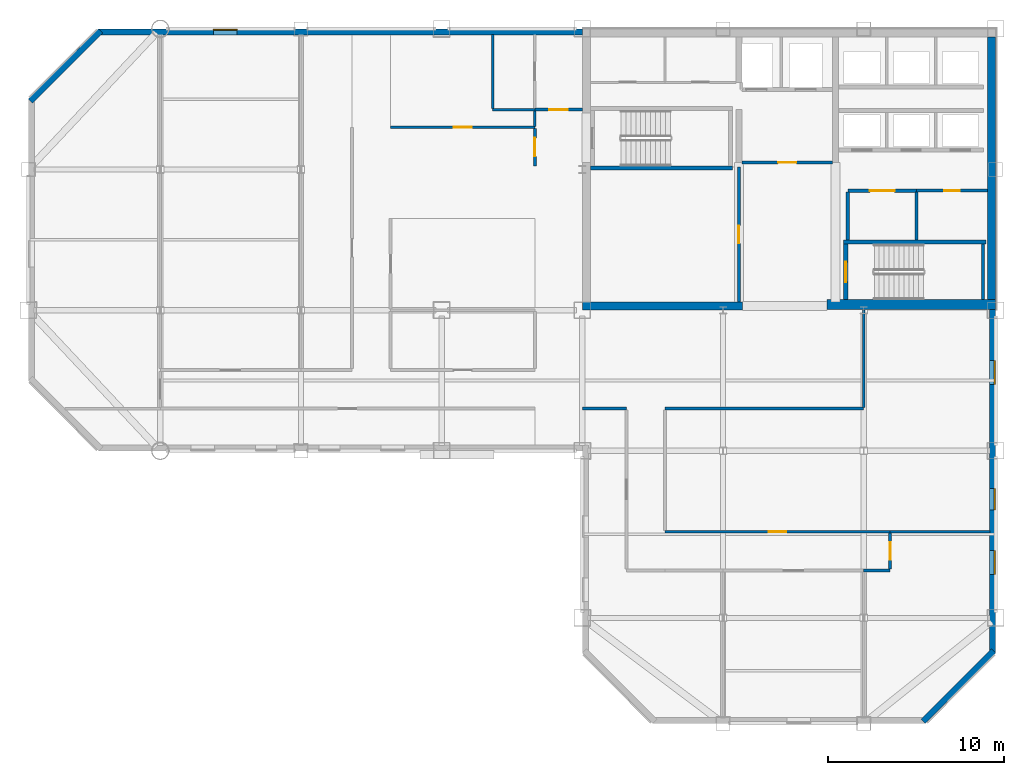
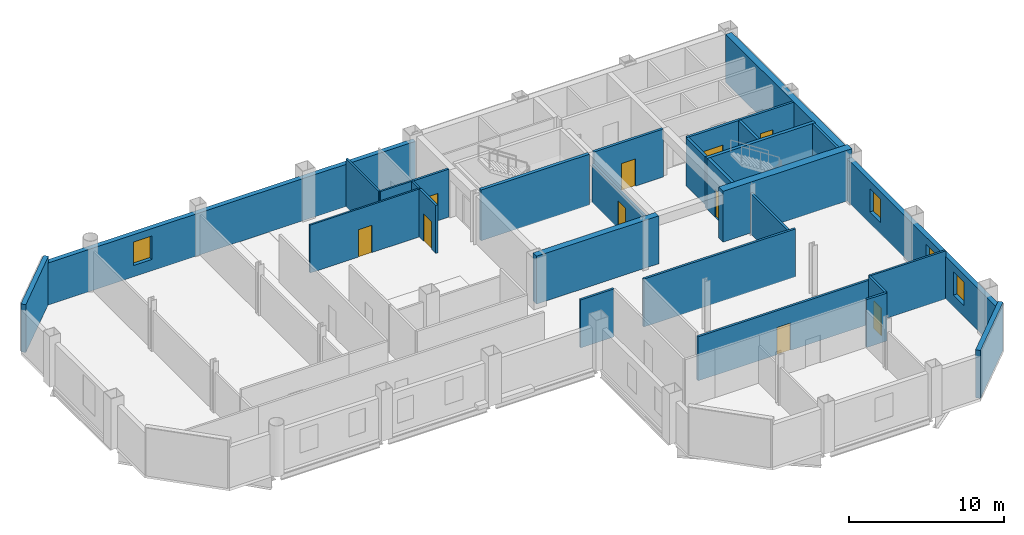
# One storey, part 5 of 10: 30 walls, 10 doors, 4 windows, 14 openings.
"""IFC4 building model written with IfcOpenShell, lengths in metres."""

from ifc_helpers import new_model, si_unit, direction, frame, frame_2d, origin, place, context, subcontext, project, spatial, rectangle, extrude, material, layer, layer_set, type_object, element, fill, save


model = new_model("IFC4")

# Units and contexts
model_context = context("Model", 3, precision=1e-05, world=origin(), true_north=direction((0.0, 1.0)))
body_context = subcontext(model_context, "Body", "Model", "MODEL_VIEW")
ifc_project = project(units=[si_unit("LENGTHUNIT", "METRE"), si_unit("AREAUNIT", "SQUARE_METRE"), si_unit("VOLUMEUNIT", "CUBIC_METRE"), si_unit("PLANEANGLEUNIT", "RADIAN"), si_unit("MASSUNIT", "GRAM", prefix="KILO")], contexts=[model_context])

# Site, building, storey
site_placement = place(None, origin())
site = spatial("IfcSite", under=ifc_project, at=site_placement, CompositionType="ELEMENT")
building_placement = place(site_placement, origin())
building = spatial("IfcBuilding", under=site, at=building_placement, Name="Qianrong Seaharbour Tower", CompositionType="ELEMENT")
storey_placement = place(building_placement, frame((0.0, 0.0, 217.800048828125)))
storey = spatial("IfcBuildingStorey", under=building, at=storey_placement, Name="L52", CompositionType="ELEMENT", Elevation=217.800048828125)

# Walls
ifc_material_1 = material(Name="Concrete C60/75", Category="concrete")
ifc_layer_1 = layer(ifc_material_1, 0.4599609375)
ifc_layer_set_1 = layer_set([ifc_layer_1], Name="Concrete C60/75")
wall_type_1 = type_object("IfcWallType", Name="WALL-CORE-460", PredefinedType="SHEAR", material=ifc_layer_set_1)
wall_1_placement = place(storey_placement, frame((63.77001953125, 36.320068359375, 0.0), z_axis=(0.0, 0.0, 1.0), x_axis=(0.0, 1.0, 0.0)))
element("IfcWall", 1, at=wall_1_placement, inside=storey, type_object=wall_type_1, Name="L52 East Core Shear Wall", PredefinedType="SHEAR", context=body_context, shape_type="SweptSolid", body=[
    extrude(rectangle(XDim=15.219970703125, YDim=0.4599609375, at=frame_2d((7.60986328125, 0.0))), origin(), (0.0, 0.0, 1.0), 3.77490234375),
])
wall_2_placement = place(storey_placement, frame((40.5, 36.22998046875, 0.0), z_axis=(0.0, 0.0, 1.0), x_axis=(1.0, 0.0, 0.0)))
element("IfcWall", 2, at=wall_2_placement, inside=storey, type_object=wall_type_1, Name="L52 South Core Shear Wall S1", PredefinedType="SHEAR", context=body_context, shape_type="SweptSolid", body=[
    extrude(rectangle(XDim=9.10009765625, YDim=0.4599609375, at=frame_2d((4.550048828125, 0.0))), origin(), (0.0, 0.0, 1.0), 3.77490234375),
])
ifc_material_2 = material(Name="Concrete C70/85", Category="concrete")
ifc_layer_2 = layer(ifc_material_2, 0.580078125)
ifc_layer_set_2 = layer_set([ifc_layer_2], Name="Concrete C70/85")
wall_type_2 = type_object("IfcWallType", Name="WALL-CORE-580", PredefinedType="SHEAR", material=ifc_layer_set_2)
wall_3_placement = place(storey_placement, frame((54.39990234375, 36.320068359375, 0.0), z_axis=(0.0, 0.0, 1.0), x_axis=(1.0, 0.0, 0.0)))
element("IfcWall", 3, at=wall_3_placement, inside=storey, type_object=wall_type_2, Name="L52 South Core Shear Wall S3", PredefinedType="SHEAR", context=body_context, shape_type="SweptSolid", body=[
    extrude(rectangle(XDim=9.60009765625, YDim=0.580078125, at=frame_2d((4.800048828125, 0.0))), origin(), (0.0, 0.0, 1.0), 4.0),
])

# Wall, opening, door
ifc_material_3 = material(Name="Fire-rated acoustic gypsum board partition")
ifc_layer_3 = layer(ifc_material_3, 0.1650390625)
ifc_layer_set_3 = layer_set([ifc_layer_3], Name="Fire-rated acoustic gypsum board partition")
wall_type_3 = type_object("IfcWallType", Name="WALL-CORR-PART-165", PredefinedType="PARTITIONING", material=ifc_layer_set_3)
wall_4_placement = place(storey_placement, frame((37.800048828125, 47.39990234375, 0.0), z_axis=(0.0, 0.0, 1.0), x_axis=(1.0, 0.0, 0.0)))
wall_4 = element("IfcWall", 4, at=wall_4_placement, inside=storey, type_object=wall_type_3, Name="L52 Interior Partition Wall 001", PredefinedType="PARTITIONING", context=body_context, shape_type="SweptSolid", body=[
    extrude(rectangle(XDim=2.699951171875, YDim=0.1650390625, at=frame_2d((1.35009765625, 0.0))), origin(), (0.0, 0.0, 1.0), 3.77490234375),
])
opening_1_placement = place(wall_4_placement, frame((0.824951171875, 0.0, 0.0)))
opening_1 = element("IfcOpeningElement", 5, at=opening_1_placement, cuts=wall_4, Name="Opening DC-01", PredefinedType="OPENING", context=body_context, shape_type="SweptSolid", body=[
    extrude(rectangle(XDim=1.050048828125, YDim=2.14990234375, at=frame_2d((0.52490234375, 1.074951171875))), frame((0.0, 0.092529296875, 0.0), z_axis=(0.0, -1.0, 0.0), x_axis=(1.0, 0.0, 0.0)), (0.0, 0.0, 1.0), 0.18505859375),
])
ifc_material_4 = material(Name="Acoustic timber and galvanized steel fire door assembly", Category="steel")
door_type_1 = type_object("IfcDoorType", Name="DOOR-CORR-FD60-1050x2150", OperationType="NOTDEFINED", PredefinedType="DOOR", material=ifc_material_4)
door_1_placement = place(opening_1_placement, origin())
door_1 = element("IfcDoor", 6, at=door_1_placement, inside=storey, type_object=door_type_1, Name="L52 Smokeproof Stair Vestibule ST-1 Door", OperationType="SINGLE_SWING_LEFT", OverallHeight=2.14990234375, OverallWidth=1.050048828125, PredefinedType="DOOR", context=body_context, shape_type="SweptSolid", body=[
    extrude(rectangle(XDim=1.050048828125, YDim=2.14990234375, at=frame_2d((0.52490234375, 1.074951171875))), frame((0.0, 0.02490234375, 0.0), z_axis=(0.0, -1.0, 0.0), x_axis=(1.0, 0.0, 0.0)), (0.0, 0.0, 1.0), 0.050048828125),
])
fill(opening_1, door_1)

wall_5_placement = place(storey_placement, frame((37.800048828125, 44.199951171875, 0.0), z_axis=(0.0, 0.0, 1.0), x_axis=(0.0, 1.0, 0.0)))
wall_5 = element("IfcWall", 7, at=wall_5_placement, inside=storey, type_object=wall_type_3, Name="L52 Interior Partition Wall 002", PredefinedType="PARTITIONING", context=body_context, shape_type="SweptSolid", body=[
    extrude(rectangle(XDim=2.14306640625, YDim=0.1650390625, at=frame_2d((1.071533203125, 0.0))), origin(), (0.0, 0.0, 1.0), 3.77490234375),
])
opening_2_placement = place(wall_5_placement, frame((0.54638671875, 0.0, 0.0)))
opening_2 = element("IfcOpeningElement", 8, at=opening_2_placement, cuts=wall_5, Name="Opening DC-01", PredefinedType="OPENING", context=body_context, shape_type="SweptSolid", body=[
    extrude(rectangle(XDim=1.050048828125, YDim=2.14990234375, at=frame_2d((0.52490234375, 1.074951171875))), frame((0.0, 0.092529296875, 0.0), z_axis=(0.0, -1.0, 0.0), x_axis=(1.0, 0.0, 0.0)), (0.0, 0.0, 1.0), 0.18505859375),
])
door_2_placement = place(opening_2_placement, origin())
door_2 = element("IfcDoor", 9, at=door_2_placement, inside=storey, type_object=door_type_1, Name="L52 Smokeproof Stair Vestibule ST-1 Door", OperationType="SINGLE_SWING_RIGHT", OverallHeight=2.14990234375, OverallWidth=1.050048828125, PredefinedType="DOOR", context=body_context, shape_type="SweptSolid", body=[
    extrude(rectangle(XDim=1.050048828125, YDim=2.14990234375, at=frame_2d((0.52490234375, 1.074951171875))), frame((0.0, 0.02490234375, 0.0), z_axis=(0.0, -1.0, 0.0), x_axis=(1.0, 0.0, 0.0)), (0.0, 0.0, 1.0), 0.050048828125),
])
fill(opening_2, door_2)

wall_6_placement = place(storey_placement, frame((49.39990234375, 36.4599609375, 0.0), z_axis=(0.0, 0.0, 1.0), x_axis=(0.0, 1.0, 0.0)))
wall_6 = element("IfcWall", 10, at=wall_6_placement, inside=storey, type_object=wall_type_3, Name="L52 Interior Partition Wall 010", PredefinedType="PARTITIONING", context=body_context, shape_type="SweptSolid", body=[
    extrude(rectangle(XDim=7.68994140625, YDim=0.1650390625, at=frame_2d((3.844970703125, 0.0))), origin(), (0.0, 0.0, 1.0), 3.016845703125),
])
opening_3_placement = place(wall_6_placement, frame((3.344970703125, 0.0, 0.0)))
opening_3 = element("IfcOpeningElement", 11, at=opening_3_placement, cuts=wall_6, Name="Opening DO-01", PredefinedType="OPENING", context=body_context, shape_type="SweptSolid", body=[
    extrude(rectangle(XDim=1.0, YDim=2.14990234375, at=frame_2d((0.5, 1.074951171875))), frame((0.0, 0.092529296875, 0.0), z_axis=(0.0, -1.0, 0.0), x_axis=(1.0, 0.0, 0.0)), (0.0, 0.0, 1.0), 0.18505859375),
])
door_type_2 = type_object("IfcDoorType", Name="DOOR-OFFICE-1000x2150", OperationType="NOTDEFINED", PredefinedType="DOOR", material=ifc_material_4)
door_3_placement = place(opening_3_placement, origin())
door_3 = element("IfcDoor", 12, at=door_3_placement, inside=storey, type_object=door_type_2, Name="L52 Data Systems Office Door", OperationType="SINGLE_SWING_LEFT", OverallHeight=2.14990234375, OverallWidth=1.0, PredefinedType="DOOR", context=body_context, shape_type="SweptSolid", body=[
    extrude(rectangle(XDim=1.0, YDim=2.14990234375, at=frame_2d((0.5, 1.074951171875))), frame((0.0, 0.02490234375, 0.0), z_axis=(0.0, -1.0, 0.0), x_axis=(1.0, 0.0, 0.0)), (0.0, 0.0, 1.0), 0.050048828125),
])
fill(opening_3, door_3)

wall_7_placement = place(storey_placement, frame((63.5400390625, 42.800048828125, 0.0), z_axis=(0.0, 0.0, 1.0), x_axis=(-1.0, 0.0, 0.0)))
wall_7 = element("IfcWall", 13, at=wall_7_placement, inside=storey, type_object=wall_type_3, Name="L52 Interior Partition Wall 013", PredefinedType="PARTITIONING", context=body_context, shape_type="SweptSolid", body=[
    extrude(rectangle(XDim=4.0400390625, YDim=0.1650390625, at=frame_2d((2.02001953125, 0.0))), origin(), (0.0, 0.0, 1.0), 3.77490234375),
])
opening_4_placement = place(wall_7_placement, frame((1.570068359375, 0.0, 0.0)))
opening_4 = element("IfcOpeningElement", 14, at=opening_4_placement, cuts=wall_7, Name="Opening DS-01", PredefinedType="OPENING", context=body_context, shape_type="SweptSolid", body=[
    extrude(rectangle(XDim=0.89990234375, YDim=2.14990234375, at=frame_2d((0.449951171875, 1.074951171875))), frame((0.0, 0.092529296875, 0.0), z_axis=(0.0, -1.0, 0.0), x_axis=(1.0, 0.0, 0.0)), (0.0, 0.0, 1.0), 0.18505859375),
])
door_type_3 = type_object("IfcDoorType", Name="DOOR-STORE-900x2150", OperationType="NOTDEFINED", PredefinedType="DOOR", material=ifc_material_4)
door_4_placement = place(opening_4_placement, origin())
door_4 = element("IfcDoor", 15, at=door_4_placement, inside=storey, type_object=door_type_3, Name="L52 Cleaner Store Room Door", OperationType="SINGLE_SWING_RIGHT", OverallHeight=2.14990234375, OverallWidth=0.89990234375, PredefinedType="DOOR", context=body_context, shape_type="SweptSolid", body=[
    extrude(rectangle(XDim=0.89990234375, YDim=2.14990234375, at=frame_2d((0.449951171875, 1.074951171875))), frame((0.0, 0.02490234375, 0.0), z_axis=(0.0, -1.0, 0.0), x_axis=(1.0, 0.0, 0.0)), (0.0, 0.0, 1.0), 0.050048828125),
])
fill(opening_4, door_4)

# Walls
wall_8_placement = place(storey_placement, frame((56.5, 36.0, 0.0), z_axis=(0.0, 0.0, 1.0), x_axis=(0.0, -1.0, 0.0)))
element("IfcWall", 16, at=wall_8_placement, inside=storey, type_object=wall_type_3, Name="L52 Interior Partition Wall 025", PredefinedType="PARTITIONING", context=body_context, shape_type="SweptSolid", body=[
    extrude(rectangle(XDim=5.525390625, YDim=0.1650390625, at=frame_2d((2.7626953125, 0.0))), origin(), (0.0, 0.0, 1.0), 3.178955078125),
])
wall_9_placement = place(storey_placement, frame((56.5, 30.39990234375, 0.0), z_axis=(0.0, 0.0, 1.0), x_axis=(-1.0, 0.0, 0.0)))
element("IfcWall", 17, at=wall_9_placement, inside=storey, type_object=wall_type_3, Name="L52 Interior Partition Wall 026", PredefinedType="PARTITIONING", context=body_context, shape_type="SweptSolid", body=[
    extrude(rectangle(XDim=11.300048828125, YDim=0.1650390625, at=frame_2d((5.64990234375, 0.0))), origin(), (0.0, 0.0, 1.0), 3.77490234375),
])
wall_10_placement = place(storey_placement, frame((43.0, 30.39990234375, 0.0), z_axis=(0.0, 0.0, 1.0), x_axis=(-1.0, 0.0, 0.0)))
element("IfcWall", 18, at=wall_10_placement, inside=storey, type_object=wall_type_3, Name="L52 Interior Partition Wall 028", PredefinedType="PARTITIONING", context=body_context, shape_type="SweptSolid", body=[
    extrude(rectangle(XDim=2.5, YDim=0.1650390625, at=frame_2d((1.25, 0.0))), origin(), (0.0, 0.0, 1.0), 3.77490234375),
])

# Wall, opening, door
wall_11_placement = place(storey_placement, frame((45.199951171875, 23.39990234375, 0.0), z_axis=(0.0, 0.0, 1.0), x_axis=(1.0, 0.0, 0.0)))
wall_11 = element("IfcWall", 19, at=wall_11_placement, inside=storey, type_object=wall_type_3, Name="L52 Interior Partition Wall 032", PredefinedType="PARTITIONING", context=body_context, shape_type="SweptSolid", body=[
    extrude(rectangle(XDim=12.800048828125, YDim=0.1650390625, at=frame_2d((6.39990234375, 0.0))), origin(), (0.0, 0.0, 1.0), 3.467041015625),
])
opening_5_placement = place(wall_11_placement, frame((5.89990234375, 0.0, 0.0)))
opening_5 = element("IfcOpeningElement", 20, at=opening_5_placement, cuts=wall_11, Name="Opening DO-01", PredefinedType="OPENING", context=body_context, shape_type="SweptSolid", body=[
    extrude(rectangle(XDim=1.0, YDim=2.14990234375, at=frame_2d((0.5, 1.074951171875))), frame((0.0, 0.092529296875, 0.0), z_axis=(0.0, -1.0, 0.0), x_axis=(1.0, 0.0, 0.0)), (0.0, 0.0, 1.0), 0.18505859375),
])
door_5_placement = place(opening_5_placement, origin())
door_5 = element("IfcDoor", 21, at=door_5_placement, inside=storey, type_object=door_type_2, Name="L52 South Wing Open-Plan Office Door", OperationType="SINGLE_SWING_LEFT", OverallHeight=2.14990234375, OverallWidth=1.0, PredefinedType="DOOR", context=body_context, shape_type="SweptSolid", body=[
    extrude(rectangle(XDim=1.0, YDim=2.14990234375, at=frame_2d((0.5, 1.074951171875))), frame((0.0, 0.02490234375, 0.0), z_axis=(0.0, -1.0, 0.0), x_axis=(1.0, 0.0, 0.0)), (0.0, 0.0, 1.0), 0.050048828125),
])
fill(opening_5, door_5)

wall_12_placement = place(storey_placement, frame((58.0, 23.325439453125, 0.0), z_axis=(0.0, 0.0, 1.0), x_axis=(0.0, -1.0, 0.0)))
wall_12 = element("IfcWall", 22, at=wall_12_placement, inside=storey, type_object=wall_type_3, Name="L52 Interior Partition Wall 035", PredefinedType="PARTITIONING", context=body_context, shape_type="SweptSolid", body=[
    extrude(rectangle(XDim=2.051025390625, YDim=0.1650390625, at=frame_2d((1.025390625, 0.0))), origin(), (0.0, 0.0, 1.0), 3.77490234375),
])
opening_6_placement = place(wall_12_placement, frame((0.525390625, 0.0, 0.0)))
opening_6 = element("IfcOpeningElement", 23, at=opening_6_placement, cuts=wall_12, Name="Opening DO-01", PredefinedType="OPENING", context=body_context, shape_type="SweptSolid", body=[
    extrude(rectangle(XDim=1.0, YDim=2.14990234375, at=frame_2d((0.5, 1.074951171875))), frame((0.0, 0.092529296875, 0.0), z_axis=(0.0, -1.0, 0.0), x_axis=(1.0, 0.0, 0.0)), (0.0, 0.0, 1.0), 0.18505859375),
])
door_6_placement = place(opening_6_placement, origin())
door_6 = element("IfcDoor", 24, at=door_6_placement, inside=storey, type_object=door_type_2, Name="L52 Standards Library 3 Door", OperationType="SINGLE_SWING_LEFT", OverallHeight=2.14990234375, OverallWidth=1.0, PredefinedType="DOOR", context=body_context, shape_type="SweptSolid", body=[
    extrude(rectangle(XDim=1.0, YDim=2.14990234375, at=frame_2d((0.5, 1.074951171875))), frame((0.0, 0.02490234375, 0.0), z_axis=(0.0, -1.0, 0.0), x_axis=(1.0, 0.0, 0.0)), (0.0, 0.0, 1.0), 0.050048828125),
])
fill(opening_6, door_6)

# Walls
wall_13_placement = place(storey_placement, frame((58.0, 21.199951171875, 0.0), z_axis=(0.0, 0.0, 1.0), x_axis=(-1.0, 0.0, 0.0)))
element("IfcWall", 25, at=wall_13_placement, inside=storey, type_object=wall_type_3, Name="L52 Interior Partition Wall 036", PredefinedType="PARTITIONING", context=body_context, shape_type="SweptSolid", body=[
    extrude(rectangle(XDim=1.5, YDim=0.1650390625, at=frame_2d((0.75, 0.0))), origin(), (0.0, 0.0, 1.0), 3.77490234375),
])
ifc_material_5 = material(Name="Unitised buff brick on Precast concrete C45/55", Category="masonry")
ifc_layer_4 = layer(ifc_material_5, 0.340087890625)
ifc_layer_set_4 = layer_set([ifc_layer_4], Name="Unitised buff brick on Precast concrete C45/55")
wall_type_4 = type_object("IfcWallType", Name="WALL-EXT-BRICK-BUFF-340", PredefinedType="SOLIDWALL", material=ifc_layer_set_4)
wall_14_placement = place(storey_placement, frame((9.1201171875, 47.8798828125, 0.0), z_axis=(0.0, 0.0, 1.0), x_axis=(0.707106781187, 0.707106781187, 0.0)))
element("IfcWall", 26, at=wall_14_placement, inside=storey, type_object=wall_type_4, Name="L52 Exterior Masonry Facade Wall E04", PredefinedType="SOLIDWALL", context=body_context, shape_type="SweptSolid", body=[
    extrude(rectangle(XDim=5.65673828125, YDim=0.340087890625, at=frame_2d((2.828369140625, 0.0))), origin(), (0.0, 0.0, 1.0), 3.77490234375),
])

# Wall, opening, window
wall_15_placement = place(storey_placement, frame((13.0, 51.830078125, 0.0), z_axis=(0.0, 0.0, 1.0), x_axis=(1.0, 0.0, 0.0)))
wall_15 = element("IfcWall", 27, at=wall_15_placement, inside=storey, type_object=wall_type_4, Name="L52 Exterior Masonry Facade Wall NORTH_WING", PredefinedType="SOLIDWALL", context=body_context, shape_type="SweptSolid", body=[
    extrude(rectangle(XDim=27.52001953125, YDim=0.340087890625, at=frame_2d((13.760009765625, 0.0))), origin(), (0.0, 0.0, 1.0), 3.324951171875),
])
opening_7_placement = place(wall_15_placement, frame((6.52490234375, 0.0, 0.89990234375)))
opening_7 = element("IfcOpeningElement", 28, at=opening_7_placement, cuts=wall_15, Name="Opening WN-02", PredefinedType="OPENING", context=body_context, shape_type="SweptSolid", body=[
    extrude(rectangle(XDim=1.35009765625, YDim=1.85009765625, at=frame_2d((0.675048828125, 0.925048828125))), frame((0.0, 0.18017578125, 0.0), z_axis=(0.0, -1.0, 0.0), x_axis=(1.0, 0.0, 0.0)), (0.0, 0.0, 1.0), 0.360107421875),
])
ifc_material_6 = material(Name="Insulated low-e double glazing in thermally broken aluminium 6063-T6 frame", Category="aluminium")
window_type_1 = type_object("IfcWindowType", Name="WIN-PUNCH-1350x1850", PartitioningType="DOUBLE_PANEL_VERTICAL", PredefinedType="WINDOW", material=ifc_material_6)
window_1_placement = place(opening_7_placement, origin())
window_1 = element("IfcWindow", 29, at=window_1_placement, inside=storey, type_object=window_type_1, Name="L52 Deep-Set Punched Window 05.02", OverallHeight=1.85009765625, OverallWidth=1.35009765625, PartitioningType="DOUBLE_PANEL_VERTICAL", PredefinedType="WINDOW", context=body_context, shape_type="SweptSolid", body=[
    extrude(rectangle(XDim=1.35009765625, YDim=1.85009765625, at=frame_2d((0.675048828125, 0.925048828125))), frame((0.0, 0.150146484375, 0.0), z_axis=(0.0, -1.0, 0.0), x_axis=(1.0, 0.0, 0.0)), (0.0, 0.0, 1.0), 0.06005859375),
])
fill(opening_7, window_1)

# Wall, openings, windows
wall_16_placement = place(storey_placement, frame((63.830078125, 36.050048828125, 0.0), z_axis=(0.0, 0.0, 1.0), x_axis=(0.0, -1.0, 0.0)))
wall_16 = element("IfcWall", 30, at=wall_16_placement, inside=storey, type_object=wall_type_4, Name="L52 Exterior Masonry Facade Wall EAST_WING", PredefinedType="SOLIDWALL", context=body_context, shape_type="SweptSolid", body=[
    extrude(rectangle(XDim=19.550048828125, YDim=0.340087890625, at=frame_2d((9.77490234375, 0.0))), origin(), (0.0, 0.0, 1.0), 3.324951171875),
])
opening_8_placement = place(wall_16_placement, frame((2.925048828125, 0.0, 0.89990234375)))
opening_8 = element("IfcOpeningElement", 31, at=opening_8_placement, cuts=wall_16, Name="Opening WN-02", PredefinedType="OPENING", context=body_context, shape_type="SweptSolid", body=[
    extrude(rectangle(XDim=1.35009765625, YDim=1.85009765625, at=frame_2d((0.675048828125, 0.925048828125))), frame((0.0, 0.18017578125, 0.0), z_axis=(0.0, -1.0, 0.0), x_axis=(1.0, 0.0, 0.0)), (0.0, 0.0, 1.0), 0.360107421875),
])
opening_9_placement = place(wall_16_placement, frame((10.199951171875, 0.0, 0.89990234375)))
opening_9 = element("IfcOpeningElement", 32, at=opening_9_placement, cuts=wall_16, Name="Opening WN-01", PredefinedType="OPENING", context=body_context, shape_type="SweptSolid", body=[
    extrude(rectangle(XDim=1.199951171875, YDim=1.85009765625, at=frame_2d((0.60009765625, 0.925048828125))), frame((0.0, 0.18017578125, 0.0), z_axis=(0.0, -1.0, 0.0), x_axis=(1.0, 0.0, 0.0)), (0.0, 0.0, 1.0), 0.360107421875),
])
opening_10_placement = place(wall_16_placement, frame((13.72509765625, 0.0, 0.89990234375)))
opening_10 = element("IfcOpeningElement", 33, at=opening_10_placement, cuts=wall_16, Name="Opening WN-02", PredefinedType="OPENING", context=body_context, shape_type="SweptSolid", body=[
    extrude(rectangle(XDim=1.35009765625, YDim=1.85009765625, at=frame_2d((0.675048828125, 0.925048828125))), frame((0.0, 0.18017578125, 0.0), z_axis=(0.0, -1.0, 0.0), x_axis=(1.0, 0.0, 0.0)), (0.0, 0.0, 1.0), 0.360107421875),
])
window_type_2 = type_object("IfcWindowType", Name="WIN-PUNCH-1200x1850", PartitioningType="DOUBLE_PANEL_VERTICAL", PredefinedType="WINDOW", material=ifc_material_6)
window_2_placement = place(opening_9_placement, origin())
window_2 = element("IfcWindow", 34, at=window_2_placement, inside=storey, type_object=window_type_2, Name="L52 Deep-Set Punched Window 06.03", OverallHeight=1.85009765625, OverallWidth=1.199951171875, PartitioningType="DOUBLE_PANEL_VERTICAL", PredefinedType="WINDOW", context=body_context, shape_type="SweptSolid", body=[
    extrude(rectangle(XDim=1.199951171875, YDim=1.85009765625, at=frame_2d((0.60009765625, 0.925048828125))), frame((0.0, 0.150146484375, 0.0), z_axis=(0.0, -1.0, 0.0), x_axis=(1.0, 0.0, 0.0)), (0.0, 0.0, 1.0), 0.06005859375),
])
fill(opening_9, window_2)
window_3_placement = place(opening_8_placement, origin())
window_3 = element("IfcWindow", 35, at=window_3_placement, inside=storey, type_object=window_type_1, Name="L52 Deep-Set Punched Window 06.01", OverallHeight=1.85009765625, OverallWidth=1.35009765625, PartitioningType="DOUBLE_PANEL_VERTICAL", PredefinedType="WINDOW", context=body_context, shape_type="SweptSolid", body=[
    extrude(rectangle(XDim=1.35009765625, YDim=1.85009765625, at=frame_2d((0.675048828125, 0.925048828125))), frame((0.0, 0.150146484375, 0.0), z_axis=(0.0, -1.0, 0.0), x_axis=(1.0, 0.0, 0.0)), (0.0, 0.0, 1.0), 0.06005859375),
])
fill(opening_8, window_3)
window_4_placement = place(opening_10_placement, origin())
window_4 = element("IfcWindow", 36, at=window_4_placement, inside=storey, type_object=window_type_1, Name="L52 Deep-Set Punched Window 06.04", OverallHeight=1.85009765625, OverallWidth=1.35009765625, PartitioningType="DOUBLE_PANEL_VERTICAL", PredefinedType="WINDOW", context=body_context, shape_type="SweptSolid", body=[
    extrude(rectangle(XDim=1.35009765625, YDim=1.85009765625, at=frame_2d((0.675048828125, 0.925048828125))), frame((0.0, 0.150146484375, 0.0), z_axis=(0.0, -1.0, 0.0), x_axis=(1.0, 0.0, 0.0)), (0.0, 0.0, 1.0), 0.06005859375),
])
fill(opening_10, window_4)

# Wall
wall_17_placement = place(storey_placement, frame((63.8798828125, 16.6201171875, 0.0), z_axis=(0.0, 0.0, 1.0), x_axis=(-0.707106781187, -0.707106781187, 0.0)))
element("IfcWall", 37, at=wall_17_placement, inside=storey, type_object=wall_type_4, Name="L52 Exterior Masonry Facade Wall E07", PredefinedType="SOLIDWALL", context=body_context, shape_type="SweptSolid", body=[
    extrude(rectangle(XDim=5.65673828125, YDim=0.340087890625, at=frame_2d((2.828369140625, 0.0))), origin(), (0.0, 0.0, 1.0), 3.77490234375),
])

# Wall, opening, door
ifc_material_7 = material(Name="Double fire-rated gypsum board acoustic partition")
ifc_layer_5 = layer(ifc_material_7, 0.18994140625)
ifc_layer_set_5 = layer_set([ifc_layer_5], Name="Double fire-rated gypsum board acoustic partition")
wall_type_5 = type_object("IfcWallType", Name="WALL-FIRE-PART-190", PredefinedType="PARTITIONING", material=ifc_layer_set_5)
wall_18_placement = place(storey_placement, frame((54.73291015625, 44.39990234375, 0.0), z_axis=(0.0, 0.0, 1.0), x_axis=(-1.0, 0.0, 0.0)))
wall_18 = element("IfcWall", 38, at=wall_18_placement, inside=storey, type_object=wall_type_5, Name="L52 Interior Partition Wall 009", PredefinedType="PARTITIONING", context=body_context, shape_type="SweptSolid", body=[
    extrude(rectangle(XDim=5.166015625, YDim=0.18994140625, at=frame_2d((2.5830078125, 0.0))), origin(), (0.0, 0.0, 1.0), 3.77490234375),
])
opening_11_placement = place(wall_18_placement, frame((2.05810546875, 0.0, 0.0)))
opening_11 = element("IfcOpeningElement", 39, at=opening_11_placement, cuts=wall_18, Name="Opening DC-01", PredefinedType="OPENING", context=body_context, shape_type="SweptSolid", body=[
    extrude(rectangle(XDim=1.050048828125, YDim=2.14990234375, at=frame_2d((0.52490234375, 1.074951171875))), frame((0.0, 0.10498046875, 0.0), z_axis=(0.0, -1.0, 0.0), x_axis=(1.0, 0.0, 0.0)), (0.0, 0.0, 1.0), 0.2099609375),
])
door_7_placement = place(opening_11_placement, origin())
door_7 = element("IfcDoor", 40, at=door_7_placement, inside=storey, type_object=door_type_1, Name="L52 Firefighting Lift Lobby Door", OperationType="SINGLE_SWING_RIGHT", OverallHeight=2.14990234375, OverallWidth=1.050048828125, PredefinedType="DOOR", context=body_context, shape_type="SweptSolid", body=[
    extrude(rectangle(XDim=1.050048828125, YDim=2.14990234375, at=frame_2d((0.52490234375, 1.074951171875))), frame((0.0, 0.02490234375, 0.0), z_axis=(0.0, -1.0, 0.0), x_axis=(1.0, 0.0, 0.0)), (0.0, 0.0, 1.0), 0.050048828125),
])
fill(opening_11, door_7)

# Wall
wall_19_placement = place(storey_placement, frame((55.60009765625, 42.712890625, 0.0), z_axis=(0.0, 0.0, 1.0), x_axis=(0.0, -1.0, 0.0)))
element("IfcWall", 41, at=wall_19_placement, inside=storey, type_object=wall_type_5, Name="L52 Interior Partition Wall 011", PredefinedType="PARTITIONING", context=body_context, shape_type="SweptSolid", body=[
    extrude(rectangle(XDim=2.73095703125, YDim=0.18994140625, at=frame_2d((1.365478515625, 0.0))), origin(), (0.0, 0.0, 1.0), 3.77490234375),
])

# Wall, opening, door
wall_20_placement = place(storey_placement, frame((59.5, 42.800048828125, 0.0), z_axis=(0.0, 0.0, 1.0), x_axis=(-1.0, 0.0, 0.0)))
wall_20 = element("IfcWall", 42, at=wall_20_placement, inside=storey, type_object=wall_type_5, Name="L52 Interior Partition Wall 012", PredefinedType="PARTITIONING", context=body_context, shape_type="SweptSolid", body=[
    extrude(rectangle(XDim=3.89990234375, YDim=0.18994140625, at=frame_2d((1.949951171875, 0.0))), origin(), (0.0, 0.0, 1.0), 3.77490234375),
])
opening_12_placement = place(wall_20_placement, frame((1.25, 0.0, 0.0)))
opening_12 = element("IfcOpeningElement", 43, at=opening_12_placement, cuts=wall_20, Name="Opening DP-01", PredefinedType="OPENING", context=body_context, shape_type="SweptSolid", body=[
    extrude(rectangle(XDim=1.39990234375, YDim=2.25, at=frame_2d((0.699951171875, 1.125))), frame((0.0, 0.10498046875, 0.0), z_axis=(0.0, -1.0, 0.0), x_axis=(1.0, 0.0, 0.0)), (0.0, 0.0, 1.0), 0.2099609375),
])
door_type_4 = type_object("IfcDoorType", Name="DOOR-PLANT-PAIR-1400x2250", OperationType="DOUBLE_DOOR_SINGLE_SWING", PredefinedType="DOOR", material=ifc_material_4)
door_8_placement = place(opening_12_placement, origin())
door_8 = element("IfcDoor", 44, at=door_8_placement, inside=storey, type_object=door_type_4, Name="L52 Electrical Substation Door", OperationType="DOUBLE_DOOR_SINGLE_SWING", OverallHeight=2.25, OverallWidth=1.39990234375, PredefinedType="DOOR", context=body_context, shape_type="SweptSolid", body=[
    extrude(rectangle(XDim=1.39990234375, YDim=2.25, at=frame_2d((0.699951171875, 1.125))), frame((0.0, 0.02490234375, 0.0), z_axis=(0.0, -1.0, 0.0), x_axis=(1.0, 0.0, 0.0)), (0.0, 0.0, 1.0), 0.050048828125),
])
fill(opening_12, door_8)

# Walls
wall_21_placement = place(storey_placement, frame((59.5, 42.712890625, 0.0), z_axis=(0.0, 0.0, 1.0), x_axis=(0.0, -1.0, 0.0)))
element("IfcWall", 45, at=wall_21_placement, inside=storey, type_object=wall_type_5, Name="L52 Interior Partition Wall 015", PredefinedType="PARTITIONING", context=body_context, shape_type="SweptSolid", body=[
    extrude(rectangle(XDim=2.73095703125, YDim=0.18994140625, at=frame_2d((1.365478515625, 0.0))), origin(), (0.0, 0.0, 1.0), 3.77490234375),
])
ifc_material_8 = material(Name="Acoustic gypsum board stud partition")
ifc_layer_6 = layer(ifc_material_8, 0.14501953125)
ifc_layer_set_6 = layer_set([ifc_layer_6], Name="Acoustic gypsum board stud partition")
wall_type_6 = type_object("IfcWallType", Name="WALL-OFFICE-PART-145", PredefinedType="PARTITIONING", material=ifc_layer_set_6)
wall_22_placement = place(storey_placement, frame((63.66796875, 23.39990234375, 0.0), z_axis=(0.0, 0.0, 1.0), x_axis=(-1.0, 0.0, 0.0)))
element("IfcWall", 46, at=wall_22_placement, inside=storey, type_object=wall_type_6, Name="L52 Interior Partition Wall 037", PredefinedType="PARTITIONING", context=body_context, shape_type="SweptSolid", body=[
    extrude(rectangle(XDim=5.66796875, YDim=0.14501953125, at=frame_2d((2.833984375, 0.0))), origin(), (0.0, 0.0, 1.0), 3.77490234375),
])
ifc_material_9 = material(Name="Concrete C50/60", Category="concrete")
ifc_layer_7 = layer(ifc_material_9, 0.239990234375)
ifc_layer_set_7 = layer_set([ifc_layer_7], Name="Concrete C50/60")
wall_type_7 = type_object("IfcWallType", Name="WALL-SHAFT-RC240", PredefinedType="SOLIDWALL", material=ifc_layer_set_7)
wall_23_placement = place(storey_placement, frame((49.0400390625, 44.080078125, 0.0), z_axis=(0.0, 0.0, 1.0), x_axis=(-1.0, 0.0, 0.0)))
element("IfcWall", 47, at=wall_23_placement, inside=storey, type_object=wall_type_7, Name="L52 ST-1 Structural Stair Core Wall S", PredefinedType="SOLIDWALL", context=body_context, shape_type="SweptSolid", body=[
    extrude(rectangle(XDim=8.080078125, YDim=0.239990234375, at=frame_2d((4.0400390625, 0.0))), origin(), (0.0, 0.0, 1.0), 4.0),
])
wall_24_placement = place(storey_placement, frame((55.360107421875, 39.8701171875, 0.0), z_axis=(0.0, 0.0, 1.0), x_axis=(1.0, 0.0, 0.0)))
element("IfcWall", 48, at=wall_24_placement, inside=storey, type_object=wall_type_7, Name="L52 ST-2 Structural Stair Core Wall N", PredefinedType="SOLIDWALL", context=body_context, shape_type="SweptSolid", body=[
    extrude(rectangle(XDim=8.079833984375, YDim=0.239990234375, at=frame_2d((4.0400390625, 0.0))), origin(), (0.0, 0.0, 1.0), 4.0),
])

# Wall, opening, door
wall_25_placement = place(storey_placement, frame((55.47998046875, 39.75, 0.0), z_axis=(0.0, 0.0, 1.0), x_axis=(0.0, -1.0, 0.0)))
wall_25 = element("IfcWall", 49, at=wall_25_placement, inside=storey, type_object=wall_type_7, Name="L52 ST-2 Structural Stair Core Wall W", PredefinedType="SOLIDWALL", context=body_context, shape_type="SweptSolid", body=[
    extrude(rectangle(XDim=3.14990234375, YDim=0.239990234375, at=frame_2d((1.574951171875, 0.0))), origin(), (0.0, 0.0, 1.0), 4.0),
])
opening_13_placement = place(wall_25_placement, frame((1.0, 0.0, 0.0)))
opening_13 = element("IfcOpeningElement", 50, at=opening_13_placement, cuts=wall_25, Name="Opening SD-01", PredefinedType="OPENING", context=body_context, shape_type="SweptSolid", body=[
    extrude(rectangle(XDim=1.14990234375, YDim=2.199951171875, at=frame_2d((0.574951171875, 1.10009765625))), frame((0.0, 0.1298828125, 0.0), z_axis=(0.0, -1.0, 0.0), x_axis=(1.0, 0.0, 0.0)), (0.0, 0.0, 1.0), 0.260009765625),
])
door_type_5 = type_object("IfcDoorType", Name="DOOR-STAIR-FD60-1150x2200", OperationType="NOTDEFINED", PredefinedType="DOOR", material=ifc_material_4)
door_9_placement = place(opening_13_placement, origin())
door_9 = element("IfcDoor", 51, at=door_9_placement, inside=storey, type_object=door_type_5, Name="L52 ST-2 Protected Stair Door", OperationType="SINGLE_SWING_LEFT", OverallHeight=2.199951171875, OverallWidth=1.14990234375, PredefinedType="DOOR", context=body_context, shape_type="SweptSolid", body=[
    extrude(rectangle(XDim=1.14990234375, YDim=2.199951171875, at=frame_2d((0.574951171875, 1.10009765625))), frame((0.0, 0.02490234375, 0.0), z_axis=(0.0, -1.0, 0.0), x_axis=(1.0, 0.0, 0.0)), (0.0, 0.0, 1.0), 0.050048828125),
])
fill(opening_13, door_9)

# Walls
wall_26_placement = place(storey_placement, frame((63.2900390625, 36.60009765625, 0.0), z_axis=(0.0, 0.0, 1.0), x_axis=(0.0, 1.0, 0.0)))
element("IfcWall", 52, at=wall_26_placement, inside=storey, type_object=wall_type_7, Name="L52 ST-2 Structural Stair Core Wall E", PredefinedType="SOLIDWALL", context=body_context, shape_type="SweptSolid", body=[
    extrude(rectangle(XDim=3.14990234375, YDim=0.179931640625, at=frame_2d((1.574951171875, 0.0))), origin(), (0.0, 0.0, 1.0), 4.0),
])
ifc_material_10 = material(Name="Water-resistant cement board sanitary partition")
ifc_layer_8 = layer(ifc_material_10, 0.1298828125)
ifc_layer_set_8 = layer_set([ifc_layer_8], Name="Water-resistant cement board sanitary partition")
wall_type_8 = type_object("IfcWallType", Name="WALL-WET-PART-130", PredefinedType="PARTITIONING", material=ifc_layer_set_8)
wall_27_placement = place(storey_placement, frame((37.800048828125, 46.45703125, 0.0), z_axis=(0.0, 0.0, 1.0), x_axis=(0.0, 1.0, 0.0)))
element("IfcWall", 53, at=wall_27_placement, inside=storey, type_object=wall_type_8, Name="L52 Interior Partition Wall 003", PredefinedType="PARTITIONING", context=body_context, shape_type="SweptSolid", body=[
    extrude(rectangle(XDim=0.868408203125, YDim=0.1298828125, at=frame_2d((0.43408203125, 0.0))), origin(), (0.0, 0.0, 1.0), 3.77490234375),
])
wall_28_placement = place(storey_placement, frame((37.800048828125, 47.39990234375, 0.0), z_axis=(0.0, 0.0, 1.0), x_axis=(-1.0, 0.0, 0.0)))
element("IfcWall", 54, at=wall_28_placement, inside=storey, type_object=wall_type_8, Name="L52 Interior Partition Wall 005", PredefinedType="PARTITIONING", context=body_context, shape_type="SweptSolid", body=[
    extrude(rectangle(XDim=2.400146484375, YDim=0.1298828125, at=frame_2d((1.2001953125, 0.0))), origin(), (0.0, 0.0, 1.0), 3.77490234375),
])
wall_29_placement = place(storey_placement, frame((35.39990234375, 47.45703125, 0.0), z_axis=(0.0, 0.0, 1.0), x_axis=(0.0, 1.0, 0.0)))
element("IfcWall", 55, at=wall_29_placement, inside=storey, type_object=wall_type_8, Name="L52 Interior Partition Wall 006", PredefinedType="PARTITIONING", context=body_context, shape_type="SweptSolid", body=[
    extrude(rectangle(XDim=4.2109375, YDim=0.1298828125, at=frame_2d((2.10546875, 0.0))), origin(), (0.0, 0.0, 1.0), 3.77490234375),
])

# Wall, opening, door
wall_30_placement = place(storey_placement, frame((29.60009765625, 46.39990234375, 0.0), z_axis=(0.0, 0.0, 1.0), x_axis=(1.0, 0.0, 0.0)))
wall_30 = element("IfcWall", 56, at=wall_30_placement, inside=storey, type_object=wall_type_8, Name="L52 Interior Partition Wall 024", PredefinedType="PARTITIONING", context=body_context, shape_type="SweptSolid", body=[
    extrude(rectangle(XDim=8.199951171875, YDim=0.1298828125, at=frame_2d((4.10009765625, 0.0))), origin(), (0.0, 0.0, 1.0), 3.77490234375),
])
opening_14_placement = place(wall_30_placement, frame((3.60009765625, 0.0, 0.0)))
opening_14 = element("IfcOpeningElement", 57, at=opening_14_placement, cuts=wall_30, Name="Opening DO-01", PredefinedType="OPENING", context=body_context, shape_type="SweptSolid", body=[
    extrude(rectangle(XDim=1.0, YDim=2.14990234375, at=frame_2d((0.5, 1.074951171875))), frame((0.0, 0.074951171875, 0.0), z_axis=(0.0, -1.0, 0.0), x_axis=(1.0, 0.0, 0.0)), (0.0, 0.0, 1.0), 0.14990234375),
])
door_10_placement = place(opening_14_placement, origin())
door_10 = element("IfcDoor", 58, at=door_10_placement, inside=storey, type_object=door_type_2, Name="L52 Wet Pantry 3 Door", OperationType="SINGLE_SWING_RIGHT", OverallHeight=2.14990234375, OverallWidth=1.0, PredefinedType="DOOR", context=body_context, shape_type="SweptSolid", body=[
    extrude(rectangle(XDim=1.0, YDim=2.14990234375, at=frame_2d((0.5, 1.074951171875))), frame((0.0, 0.02490234375, 0.0), z_axis=(0.0, -1.0, 0.0), x_axis=(1.0, 0.0, 0.0)), (0.0, 0.0, 1.0), 0.050048828125),
])
fill(opening_14, door_10)

save(model, "model.ifc")
